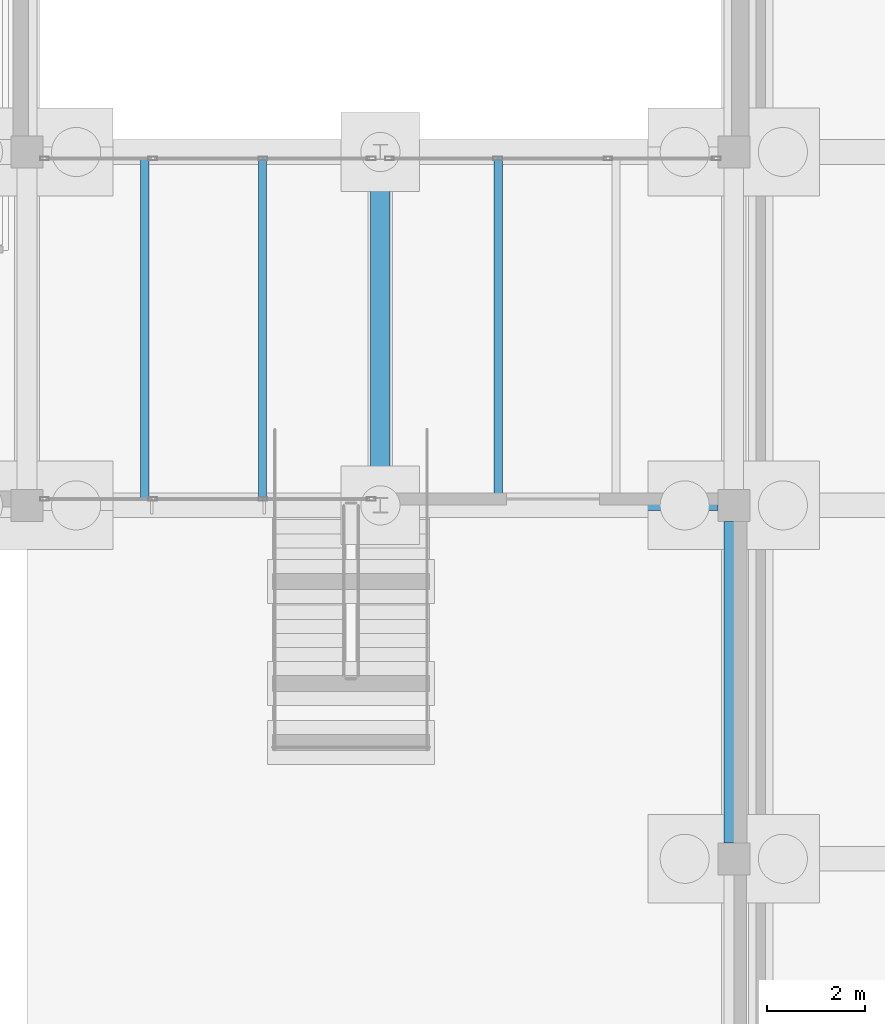
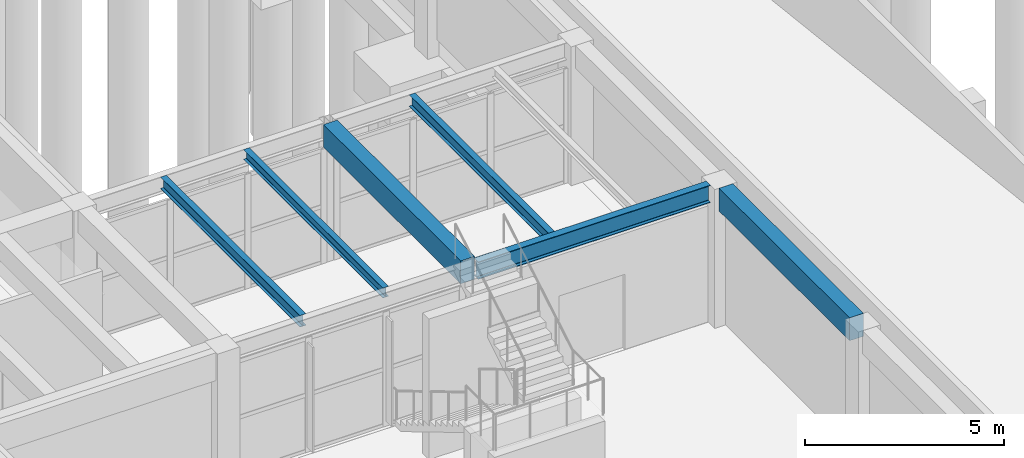
# One storey, part 12 of 28: 6 beams.
"""IFC4 building model written with IfcOpenShell, lengths in metres."""

from ifc_helpers import new_model, si_unit, direction, frame, origin, origin_2d, place, context, subcontext, project, spatial, rectangle, i_section, extrude, material, material_profile, profile_set, type_object, element, save


model = new_model("IFC4")

# Units and contexts
model_context = context("Model", 3, precision=1e-05, world=origin(), true_north=direction((0.0, 1.0)))
body_context = subcontext(model_context, "Body", "Model", "MODEL_VIEW")
ifc_project = project(units=[si_unit("LENGTHUNIT", "METRE"), si_unit("AREAUNIT", "SQUARE_METRE"), si_unit("VOLUMEUNIT", "CUBIC_METRE"), si_unit("PLANEANGLEUNIT", "RADIAN"), si_unit("MASSUNIT", "GRAM", prefix="KILO")], contexts=[model_context])

# Site, building, storey
site_placement = place(None, origin())
site = spatial("IfcSite", under=ifc_project, at=site_placement, CompositionType="ELEMENT")
building_placement = place(site_placement, origin())
building = spatial("IfcBuilding", under=site, at=building_placement, Name="Bramvelor Terrace Health Centre", CompositionType="ELEMENT")
storey_placement = place(building_placement, frame((0.0, 0.0, -4.5)))
storey = spatial("IfcBuildingStorey", under=building, at=storey_placement, Name="B1", CompositionType="ELEMENT", Elevation=-4.5)

# Beams
ifc_material_1 = material(Name="Concrete C40/50", Category="concrete")
ifc_material_profile_1 = material_profile(ifc_material_1, rectangle(XDim=0.39990234375, YDim=0.699951171875, at=origin_2d()), Name="RC 400x700")
ifc_profile_set_1 = profile_set([ifc_material_profile_1], Name="Concrete C40/50")
beam_type_1 = type_object("IfcBeamType", Name="BM-RC-G700", PredefinedType="BEAM", material=ifc_profile_set_1)
beam_1_placement = place(storey_placement, frame((36.0, 50.55712890625, 3.89990234375), z_axis=(0.0, 1.0, 0.0), x_axis=(-1.0, 0.0, 0.0)))
element("IfcBeam", 1, at=beam_1_placement, inside=storey, type_object=beam_type_1, Name="B1 Floor Girder", PredefinedType="BEAM", context=body_context, shape_type="SweptSolid", body=[
    extrude(rectangle(XDim=0.39990234375, YDim=0.699951171875, at=origin_2d()), origin(), (0.0, 0.0, 1.0), 6.8857421875),
])
beam_2_placement = place(storey_placement, frame((43.199951171875, 43.52490234375, 3.89990234375), z_axis=(0.0, 1.0, 0.0), x_axis=(-1.0, 0.0, 0.0)))
element("IfcBeam", 2, at=beam_2_placement, inside=storey, type_object=beam_type_1, Name="B1 Floor Girder", PredefinedType="BEAM", context=body_context, shape_type="SweptSolid", body=[
    extrude(rectangle(XDim=0.39990234375, YDim=0.699951171875, at=origin_2d()), origin(), (0.0, 0.0, 1.0), 6.550048828125),
])
ifc_material_2 = material(Name="Steel S355J2", Category="steel")
ifc_material_profile_2 = material_profile(ifc_material_2, i_section(OverallWidth=0.1650390625, OverallDepth=0.303466796875, WebThickness=0.006103515625, FlangeThickness=0.01025390625, FilletRadius=0.0087890625, at=origin_2d()), Name="UB 305x165x40")
ifc_profile_set_2 = profile_set([ifc_material_profile_2], Name="Steel S355J2")
beam_type_2 = type_object("IfcBeamType", Name="BM-STL-UB305", PredefinedType="JOIST", material=ifc_profile_set_2)
beam_3_placement = place(storey_placement, frame((33.60009765625, 50.504638671875, 4.098388671875), z_axis=(0.0, 1.0, 0.0), x_axis=(-1.0, 0.0, 0.0)))
element("IfcBeam", 3, at=beam_3_placement, inside=storey, type_object=beam_type_2, Name="B1 Secondary Floor Joist", PredefinedType="JOIST", context=body_context, shape_type="SweptSolid", body=[
    extrude(i_section(OverallWidth=0.1650390625, OverallDepth=0.303466796875, WebThickness=0.006103515625, FlangeThickness=0.01025390625, FilletRadius=0.0087890625, at=origin_2d()), origin(), (0.0, 0.0, 1.0), 6.99072265625),
])
ifc_material_3 = material(Name="Steel S355J2", Category="steel")
ifc_material_profile_3 = material_profile(ifc_material_3, i_section(OverallWidth=0.17138671875, OverallDepth=0.35498046875, WebThickness=0.00732421875, FlangeThickness=0.011474609375, FilletRadius=0.01025390625, at=origin_2d()), Name="UB 356x171x51")
ifc_profile_set_3 = profile_set([ifc_material_profile_3], Name="Steel S355J2")
beam_type_3 = type_object("IfcBeamType", Name="BM-STL-UB356", PredefinedType="JOIST", material=ifc_profile_set_3)
for number, where, z_axis, x_axis, name in (
    (4, (31.199951171875, 50.504638671875, 4.072509765625), (0.0, 1.0, 0.0), (-1.0, 0.0, 0.0), "B1 Secondary Floor Joist"),
    (5, (38.39990234375, 50.504638671875, 4.072509765625), (0.0, 1.0, 0.0), (-1.0, 0.0, 0.0), "B1 Secondary Floor Joist"),
):
    element("IfcBeam", number, at=place(storey_placement, frame(where, z_axis=z_axis, x_axis=x_axis)), inside=storey, type_object=beam_type_3, Name=name, PredefinedType="JOIST", context=body_context, shape_type="SweptSolid", body=[
        extrude(i_section(OverallWidth=0.17138671875, OverallDepth=0.35498046875, WebThickness=0.00732421875, FlangeThickness=0.011474609375, FilletRadius=0.01025390625, at=origin_2d()), origin(), (0.0, 0.0, 1.0), 6.99072265625),
    ])
ifc_material_4 = material(Name="Steel S355J2", Category="steel")
ifc_material_profile_4 = material_profile(ifc_material_4, i_section(OverallWidth=0.209228515625, OverallDepth=0.533203125, WebThickness=0.010009765625, FlangeThickness=0.015625, FilletRadius=0.0126953125, at=origin_2d()), Name="UB 533x210x92")
ifc_profile_set_4 = profile_set([ifc_material_profile_4], Name="Steel S355J2")
beam_type_4 = type_object("IfcBeamType", Name="BM-STL-UB533", PredefinedType="BEAM", material=ifc_profile_set_4)
beam_4_placement = place(storey_placement, frame((36.15380859375, 50.39990234375, 3.9833984375), z_axis=(1.0, 0.0, 0.0), x_axis=(0.0, 1.0, 0.0)))
element("IfcBeam", 6, at=beam_4_placement, inside=storey, type_object=beam_type_4, Name="B1 Floor Girder", PredefinedType="BEAM", context=body_context, shape_type="SweptSolid", body=[
    extrude(i_section(OverallWidth=0.209228515625, OverallDepth=0.533203125, WebThickness=0.010009765625, FlangeThickness=0.015625, FilletRadius=0.0126953125, at=origin_2d()), origin(), (0.0, 0.0, 1.0), 6.72119140625),
])

save(model, "model.ifc")
